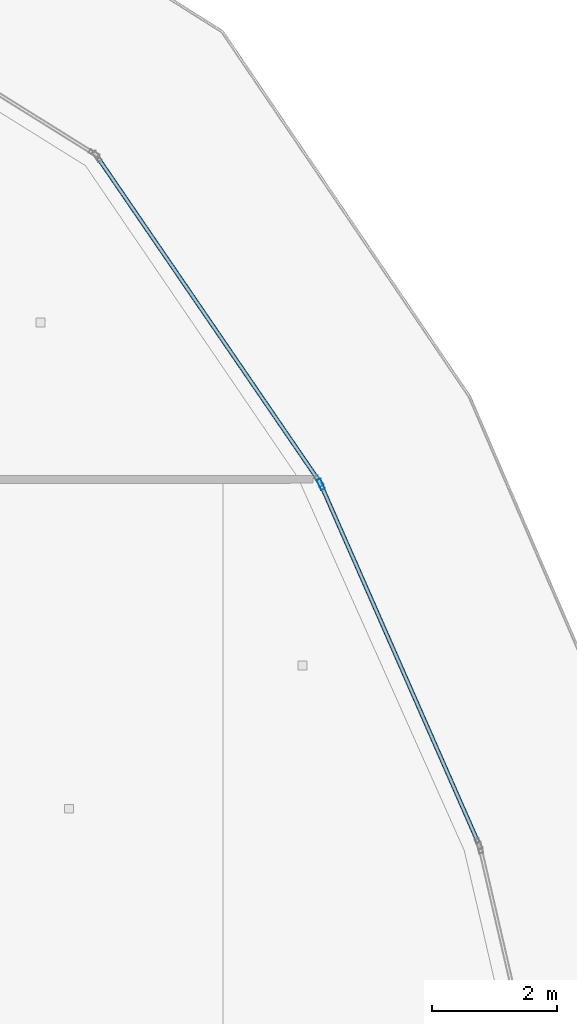
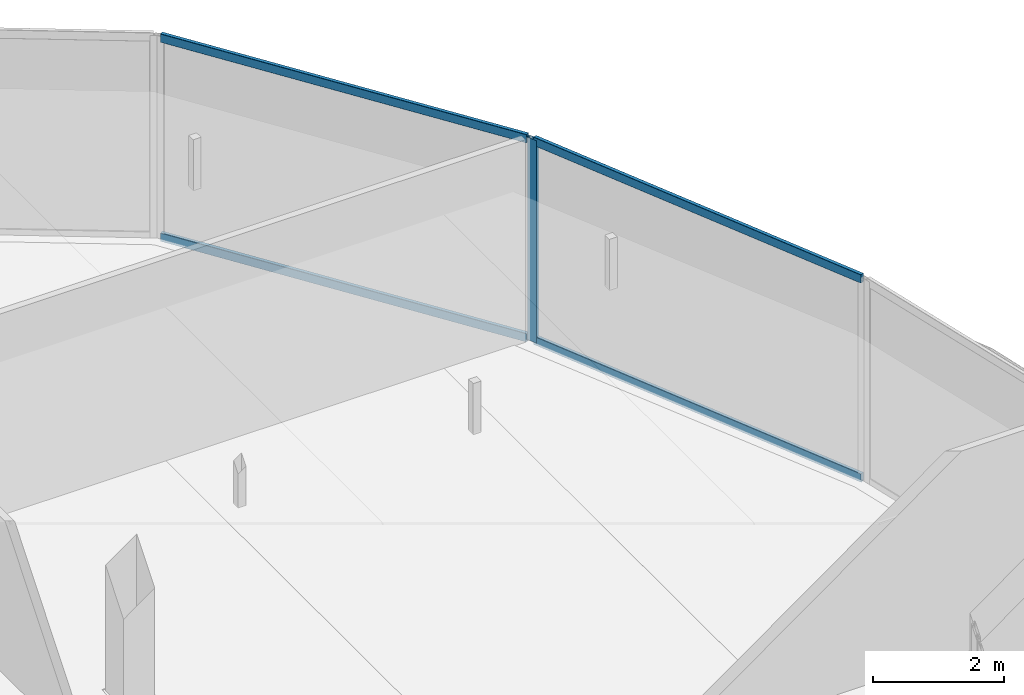
# One storey, part 21 of 37: 5 members, 2 elements without a shape of their own.
"""IFC4 building model written with IfcOpenShell, lengths in metres."""

from ifc_helpers import new_model, si_unit, direction, frame, origin, origin_2d, place, context, subcontext, project, spatial, hollow_rectangle, extrude, material, layer, layer_set, material_profile, profile_set, type_object, element, aggregate, save


model = new_model("IFC4")

# Units and contexts
model_context = context("Model", 3, precision=1e-05, world=origin(), true_north=direction((0.0, 1.0)))
body_context = subcontext(model_context, "Body", "Model", "MODEL_VIEW")
ifc_project = project(units=[si_unit("LENGTHUNIT", "METRE"), si_unit("AREAUNIT", "SQUARE_METRE"), si_unit("VOLUMEUNIT", "CUBIC_METRE"), si_unit("PLANEANGLEUNIT", "RADIAN"), si_unit("MASSUNIT", "GRAM", prefix="KILO")], contexts=[model_context])

# Site, building, storey
site_placement = place(None, origin())
site = spatial("IfcSite", under=ifc_project, at=site_placement, CompositionType="ELEMENT")
building_placement = place(site_placement, origin())
building = spatial("IfcBuilding", under=site, at=building_placement, Name="Qorvath Tower", CompositionType="ELEMENT")
storey_placement = place(building_placement, frame((0.0, 0.0, 184.800048828125)))
storey = spatial("IfcBuildingStorey", under=building, at=storey_placement, Name="L42", CompositionType="ELEMENT", Elevation=184.800048828125)

# Curtain wall, members
ifc_material_1 = material(Name="Anodised aluminium and triple low-E glass", Category="aluminium")
ifc_layer = layer(ifc_material_1, 0.179931640625)
ifc_layer_set = layer_set([ifc_layer], Name="CW-SYS-3")
curtain_wall_type = type_object("IfcCurtainWallType", Name="CW-SYS-3", PredefinedType="NOTDEFINED", material=ifc_layer_set)
curtain_wall_1_placement = place(storey_placement, origin())
curtain_wall_1 = element("IfcCurtainWall", 1, at=curtain_wall_1_placement, inside=storey, type_object=curtain_wall_type, Name="Curtain Wall CW-3 CW-T-L42-12.1", PredefinedType="NOTDEFINED")
ifc_material_2 = material(Name="Anodised aluminium 6063-T6", Category="aluminium")
ifc_material_profile_1 = material_profile(ifc_material_2, hollow_rectangle(XDim=0.06494140625, YDim=0.179931640625, WallThickness=0.00341796875, InnerFilletRadius=0.00341796875, OuterFilletRadius=0.007080078125, at=origin_2d()), Name="CWM 180x65")
ifc_profile_set_1 = profile_set([ifc_material_profile_1], Name="Anodised aluminium 6063-T6")
member_type_1 = type_object("IfcMemberType", Name="CWM-180", PredefinedType="MULLION", material=ifc_profile_set_1)
member_1_placement = place(storey_placement, frame((-1.74072265625, 16.5498046875, 0.0), z_axis=(0.0, 0.0, 1.0), x_axis=(-0.915549117046, -0.402206183786, 0.0)))
member_1 = element("IfcMember", 2, at=member_1_placement, type_object=member_type_1, Name="CW-3 mullion 2", PredefinedType="MULLION", context=body_context, shape_type="SweptSolid", body=[
    extrude(hollow_rectangle(XDim=0.06494140625, YDim=0.179931640625, WallThickness=0.00341796875, InnerFilletRadius=0.00341796875, OuterFilletRadius=0.007080078125, at=origin_2d()), origin(), (0.0, 0.0, 1.0), 3.780029296875),
])
ifc_material_3 = material(Name="Anodised aluminium 6063-T6", Category="aluminium")
ifc_material_profile_2 = material_profile(ifc_material_3, hollow_rectangle(XDim=0.06494140625, YDim=0.159912109375, WallThickness=0.00341796875, InnerFilletRadius=0.00341796875, OuterFilletRadius=0.007080078125, at=origin_2d()), Name="CWT 160x65")
ifc_profile_set_2 = profile_set([ifc_material_profile_2], Name="Anodised aluminium 6063-T6")
member_type_2 = type_object("IfcMemberType", Name="CWT-160", PredefinedType="USERDEFINED", material=ifc_profile_set_2)
member_2_placement = place(storey_placement, frame((0.769775390625, 10.83544921875, 0.032470703125), z_axis=(-0.402212776663, 0.915546220728, 0.0), x_axis=(-0.915546220728, -0.402212776663, 0.0)))
member_2 = element("IfcMember", 3, at=member_2_placement, type_object=member_type_2, Name="CW-3 transom 1.1", ObjectType="TRANSOM", PredefinedType="USERDEFINED", context=body_context, shape_type="SweptSolid", body=[
    extrude(hollow_rectangle(XDim=0.06494140625, YDim=0.159912109375, WallThickness=0.00341796875, InnerFilletRadius=0.00341796875, OuterFilletRadius=0.007080078125, at=origin_2d()), origin(), (0.0, 0.0, 1.0), 6.208984375),
])
member_3_placement = place(storey_placement, frame((0.769775390625, 10.83544921875, 3.74755859375), z_axis=(-0.402212776663, 0.915546220728, 0.0), x_axis=(-0.915546220728, -0.402212776663, 0.0)))
member_3 = element("IfcMember", 4, at=member_3_placement, type_object=member_type_2, Name="CW-3 transom 1.2", ObjectType="TRANSOM", PredefinedType="USERDEFINED", context=body_context, shape_type="SweptSolid", body=[
    extrude(hollow_rectangle(XDim=0.06494140625, YDim=0.159912109375, WallThickness=0.00341796875, InnerFilletRadius=0.00341796875, OuterFilletRadius=0.007080078125, at=origin_2d()), origin(), (0.0, 0.0, 1.0), 6.208984375),
])
aggregate(curtain_wall_1, [member_1, member_2, member_3])

curtain_wall_2_placement = place(storey_placement, origin())
curtain_wall_2 = element("IfcCurtainWall", 5, at=curtain_wall_2_placement, inside=storey, type_object=curtain_wall_type, Name="Curtain Wall CW-3 CW-T-L42-13.1", PredefinedType="NOTDEFINED")
member_4_placement = place(storey_placement, frame((-1.790283203125, 16.63330078125, 0.032470703125), z_axis=(-0.564461187219, 0.825459610231, 0.0), x_axis=(-0.825459610231, -0.564461187219, 0.0)))
member_4 = element("IfcMember", 6, at=member_4_placement, type_object=member_type_2, Name="CW-3 transom 1.1", ObjectType="TRANSOM", PredefinedType="USERDEFINED", context=body_context, shape_type="SweptSolid", body=[
    extrude(hollow_rectangle(XDim=0.06494140625, YDim=0.159912109375, WallThickness=0.00341796875, InnerFilletRadius=0.00341796875, OuterFilletRadius=0.007080078125, at=origin_2d()), origin(), (0.0, 0.0, 1.0), 6.209228515625),
])
member_5_placement = place(storey_placement, frame((-1.790283203125, 16.63330078125, 3.74755859375), z_axis=(-0.564461187219, 0.825459610231, 0.0), x_axis=(-0.825459610231, -0.564461187219, 0.0)))
member_5 = element("IfcMember", 7, at=member_5_placement, type_object=member_type_2, Name="CW-3 transom 1.2", ObjectType="TRANSOM", PredefinedType="USERDEFINED", context=body_context, shape_type="SweptSolid", body=[
    extrude(hollow_rectangle(XDim=0.06494140625, YDim=0.159912109375, WallThickness=0.00341796875, InnerFilletRadius=0.00341796875, OuterFilletRadius=0.007080078125, at=origin_2d()), origin(), (0.0, 0.0, 1.0), 6.209228515625),
])
aggregate(curtain_wall_2, [member_4, member_5])

save(model, "model.ifc")
